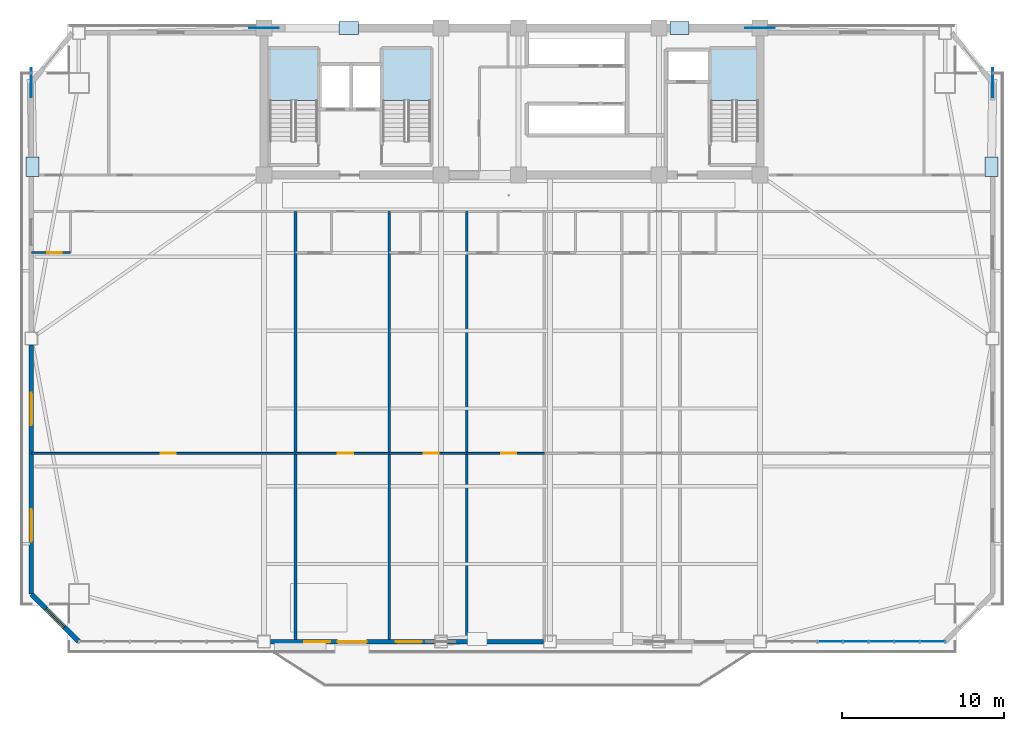
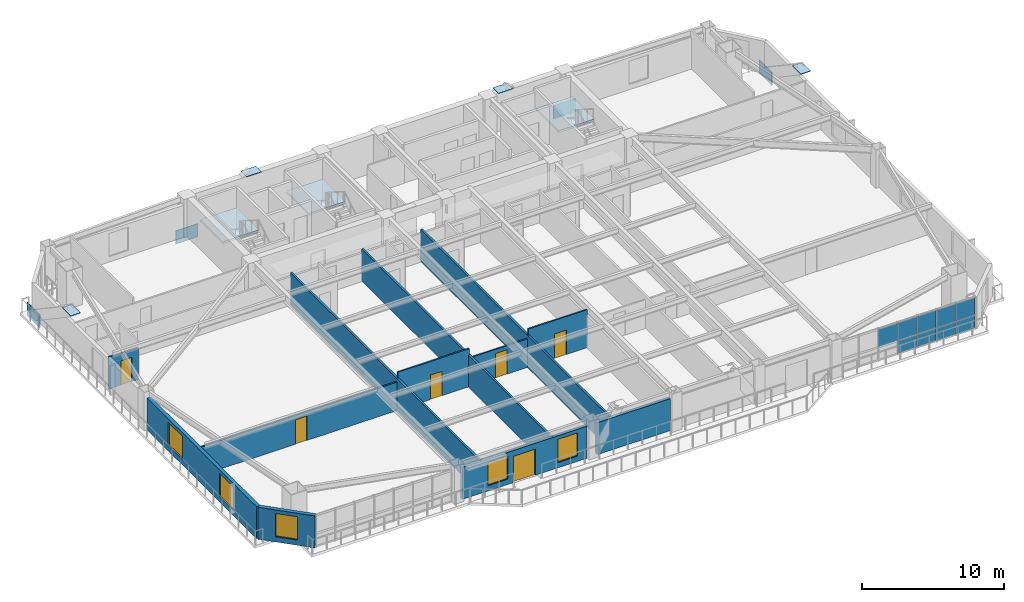
# One storey, part 7 of 15: 17 plates, 12 walls, 6 doors, 5 windows, 3 slabs, 11 openings, 4 elements without a shape of their own.
"""IFC4 building model written with IfcOpenShell, lengths in metres."""

from ifc_helpers import new_model, si_unit, direction, frame, frame_2d, origin, origin_2d, place, context, subcontext, project, spatial, polyline, rectangle, outline, extrude, source, transform, mapped, material, layer, layer_set, type_object, element, fill, aggregate, save


model = new_model("IFC4")

# Units and contexts
model_context = context("Model", 3, precision=1e-05, world=origin(), true_north=direction((0.0, 1.0)))
body_context = subcontext(model_context, "Body", "Model", "MODEL_VIEW")
ifc_project = project(units=[si_unit("LENGTHUNIT", "METRE"), si_unit("AREAUNIT", "SQUARE_METRE"), si_unit("VOLUMEUNIT", "CUBIC_METRE"), si_unit("PLANEANGLEUNIT", "RADIAN"), si_unit("MASSUNIT", "GRAM", prefix="KILO")], contexts=[model_context])

# Site, building, storey
site_placement = place(None, origin())
site = spatial("IfcSite", under=ifc_project, at=site_placement, CompositionType="ELEMENT")
building_placement = place(site_placement, origin())
building = spatial("IfcBuilding", under=site, at=building_placement, Name="Giltprow Tower", CompositionType="ELEMENT")
storey_placement = place(building_placement, frame((0.0, 0.0, 149.199951171875)))
storey = spatial("IfcBuildingStorey", under=building, at=storey_placement, Name="L36", CompositionType="ELEMENT", Elevation=149.199951171875)

# Stair, slab
ifc_material_1 = material(Name="Concrete C40", Category="concrete")
stair_type_1 = type_object("IfcStairType", Name="STR-ST-1", PredefinedType="HALF_TURN_STAIR", material=ifc_material_1)
stair_1_placement = place(storey_placement, origin())
stair_1 = element("IfcStair", 1, at=stair_1_placement, inside=storey, type_object=stair_type_1, Name="L36 Core Exit Stair ST-1", PredefinedType="HALF_TURN_STAIR")
ifc_layer_1 = layer(ifc_material_1, 0.179931640625, Name="Concrete C40")
ifc_layer_set_1 = layer_set([ifc_layer_1], Name="Concrete C40")
slab_type_1 = type_object("IfcSlabType", Name="SLD-ST-1", PredefinedType="LANDING", material=ifc_layer_set_1)
slab_1_placement = place(storey_placement, frame((0.0, 0.0, 1.570068359375)))
slab_1 = element("IfcSlab", 2, at=slab_1_placement, type_object=slab_type_1, Name="ST-1 landing 1", PredefinedType="LANDING", context=body_context, shape_type="SweptSolid", body=[
    extrude(outline(polyline([(23.159912109375, 42.070068359375), (23.159912109375, 45.25), (20.199951171875, 45.25), (20.199951171875, 42.070068359375), (23.159912109375, 42.070068359375)])), origin(), (0.0, 0.0, 1.0), 0.179931640625),
])
aggregate(stair_1, [slab_1])

stair_type_2 = type_object("IfcStairType", Name="STR-ST-2", PredefinedType="HALF_TURN_STAIR", material=ifc_material_1)
stair_2_placement = place(storey_placement, origin())
stair_2 = element("IfcStair", 3, at=stair_2_placement, inside=storey, type_object=stair_type_2, Name="L36 Core Exit Stair ST-2", PredefinedType="HALF_TURN_STAIR")
ifc_layer_2 = layer(ifc_material_1, 0.18798828125, Name="Concrete C40")
ifc_layer_set_2 = layer_set([ifc_layer_2], Name="Concrete C40")
slab_type_2 = type_object("IfcSlabType", Name="SLD-ST-2", PredefinedType="LANDING", material=ifc_layer_set_2)
slab_2_placement = place(storey_placement, frame((0.0, 0.0, 1.56201171875)))
slab_2 = element("IfcSlab", 4, at=slab_2_placement, type_object=slab_type_2, Name="ST-2 landing 1", PredefinedType="LANDING", context=body_context, shape_type="SweptSolid", body=[
    extrude(outline(polyline([(30.159912109375, 42.070068359375), (30.159912109375, 45.25), (27.199951171875, 45.25), (27.199951171875, 42.070068359375), (30.159912109375, 42.070068359375)])), origin(), (0.0, 0.0, 1.0), 0.18798828125),
])
aggregate(stair_2, [slab_2])

stair_type_3 = type_object("IfcStairType", Name="STR-ST-3", PredefinedType="HALF_TURN_STAIR", material=ifc_material_1)
stair_3_placement = place(storey_placement, origin())
stair_3 = element("IfcStair", 5, at=stair_3_placement, inside=storey, type_object=stair_type_3, Name="L36 Core Exit Stair ST-3", PredefinedType="HALF_TURN_STAIR")
ifc_layer_3 = layer(ifc_material_1, 0.196044921875, Name="Concrete C40")
ifc_layer_set_3 = layer_set([ifc_layer_3], Name="Concrete C40")
slab_type_3 = type_object("IfcSlabType", Name="SLD-ST-3", PredefinedType="LANDING", material=ifc_layer_set_3)
slab_3_placement = place(storey_placement, frame((0.0, 0.0, 1.553955078125)))
slab_3 = element("IfcSlab", 6, at=slab_3_placement, type_object=slab_type_3, Name="ST-3 landing 1", PredefinedType="LANDING", context=body_context, shape_type="SweptSolid", body=[
    extrude(outline(polyline([(50.4599609375, 42.070068359375), (50.4599609375, 45.25), (47.5, 45.25), (47.5, 42.070068359375), (50.4599609375, 42.070068359375)])), origin(), (0.0, 0.0, 1.0), 0.196044921875),
])
aggregate(stair_3, [slab_3])

# Plates
ifc_material_2 = material(Name="Structural steel Q420GJC", Category="steel")
plate_type_1 = type_object("IfcPlateType", Name="PLT-NODE-MBN1", PredefinedType="USERDEFINED", material=ifc_material_2)
shared_shape_1 = source(origin(), body_context, "Body", "SweptSolid", [
    extrude(rectangle(XDim=1.800048828125, YDim=0.050048828125, at=origin_2d()), origin(), (0.0, 0.0, 1.0), 1.14990234375),
])
for number, where, z_axis, x_axis, name in (
    (7, (19.85009765625, 46.550048828125, -0.71484375), (0.0, 0.0, 1.0), (1.0, 0.0, 0.0), "Mega-Brace Node L36-N-LA"),
    (8, (50.550048828125, 46.550048828125, -0.71484375), (0.0, 0.0, 1.0), (1.0, 0.0, 0.0), "Mega-Brace Node L36-N-RA"),
    (9, (5.448974609375, 43.160888671875, -0.574951171875), (0.0, 0.0, 1.0), (0.0, 1.0, 0.0), "Mega-Brace Node L36-W-RA"),
    (10, (64.950927734375, 43.160888671875, -0.574951171875), (0.0, 0.0, 1.0), (0.0, 1.0, 0.0), "Mega-Brace Node L36-E-RA"),
):
    element("IfcPlate", number, at=place(storey_placement, frame(where, z_axis=z_axis, x_axis=x_axis)), inside=storey, type_object=plate_type_1, Name=name, ObjectType="GUSSET", PredefinedType="USERDEFINED", context=body_context, shape_type="MappedRepresentation", body=[
        mapped(shared_shape_1, transform((0.0, 0.0, 0.0), x_axis=(1.0, 0.0, 0.0), y_axis=(0.0, 1.0, 0.0), z_axis=(0.0, 0.0, 1.0), scale=1.0)),
    ])
plate_type_2 = type_object("IfcPlateType", Name="PLT-CAP-SEAL", PredefinedType="USERDEFINED", material=ifc_material_2)
shared_shape_2 = source(origin(), body_context, "Body", "SweptSolid", [
    extrude(rectangle(XDim=1.199951171875, YDim=0.800048828125, at=origin_2d()), origin(), (0.0, 0.0, 1.0), 0.034912109375),
])
for number, where, z_axis, x_axis, name in (
    (11, (25.10009765625, 46.550048828125, 3.3427734375), (0.0, 0.0, 1.0), (1.0, 0.0, 0.0), "Mega-Brace Node L36-N-LB"),
    (12, (45.56689453125, 46.550048828125, 3.3427734375), (0.0, 0.0, 1.0), (1.0, 0.0, 0.0), "Mega-Brace Node L36-N-RB"),
    (13, (5.527099609375, 37.97412109375, 3.482421875), (0.0, 0.0, 1.0), (0.0, 1.0, 0.0), "Mega-Brace Node L36-W-RB"),
    (14, (64.873046875, 37.97412109375, 3.482421875), (0.0, 0.0, 1.0), (0.0, 1.0, 0.0), "Mega-Brace Node L36-E-RB"),
):
    element("IfcPlate", number, at=place(storey_placement, frame(where, z_axis=z_axis, x_axis=x_axis)), inside=storey, type_object=plate_type_2, Name=name, ObjectType="SPLICE", PredefinedType="USERDEFINED", context=body_context, shape_type="MappedRepresentation", body=[
        mapped(shared_shape_2, transform((0.0, 0.0, 0.0), x_axis=(1.0, 0.0, 0.0), y_axis=(0.0, 1.0, 0.0), z_axis=(0.0, 0.0, 1.0), scale=1.0)),
    ])

# Curtain wall, plates
ifc_material_3 = material(Name="Anodized bronze", Category="metal")
ifc_layer_4 = layer(ifc_material_3, 0.179931640625, Name="Anodized bronze")
ifc_layer_set_4 = layer_set([ifc_layer_4], Name="Anodized bronze")
curtain_wall_type = type_object("IfcCurtainWallType", Name="CW-HTL-BRONZE", PredefinedType="NOTDEFINED", material=ifc_layer_set_4)
curtain_wall_placement = place(storey_placement, origin())
curtain_wall = element("IfcCurtainWall", 15, at=curtain_wall_placement, inside=storey, type_object=curtain_wall_type, Name="L36 South Recessed Curtain Wall 6", PredefinedType="NOTDEFINED")
ifc_material_4 = material(Name="Insulated glass", Category="glass")
plate_type_3 = type_object("IfcPlateType", Name="CW-PANEL-IGU-28", PredefinedType="CURTAIN_PANEL", material=ifc_material_4)
shared_shape_3 = source(origin(), body_context, "Body", "SweptSolid", [
    extrude(rectangle(XDim=1.550048828125, YDim=0.028076171875, at=origin_2d()), origin(), (0.0, 0.0, 1.0), 1.0869140625),
])
plate_1_placement = place(storey_placement, frame((56.48095703125, 8.572021484375, 0.0546875), z_axis=(0.0, 0.0, 1.0), x_axis=(1.0, 0.0, 0.0)))
plate_1 = element("IfcPlate", 16, at=plate_1_placement, type_object=plate_type_3, Name="L36 South Recessed Curtain Wall 6 Glazing Panel 4-1", PredefinedType="CURTAIN_PANEL", context=body_context, shape_type="MappedRepresentation", body=[
    mapped(shared_shape_3, transform((0.0, 0.0, 0.0), x_axis=(1.0, 0.0, 0.0), y_axis=(0.0, 1.0, 0.0), z_axis=(0.0, 0.0, 1.0), scale=1.0)),
])
plate_2_placement = place(storey_placement, frame((58.06103515625, 8.572021484375, 0.0546875), z_axis=(0.0, 0.0, 1.0), x_axis=(1.0, 0.0, 0.0)))
plate_2 = element("IfcPlate", 17, at=plate_2_placement, type_object=plate_type_3, Name="L36 South Recessed Curtain Wall 6 Glazing Panel 5-1", PredefinedType="CURTAIN_PANEL", context=body_context, shape_type="MappedRepresentation", body=[
    mapped(shared_shape_3, transform((0.0, 0.0, 0.0), x_axis=(1.0, 0.0, 0.0), y_axis=(0.0, 1.0, 0.0), z_axis=(0.0, 0.0, 1.0), scale=1.0)),
])
plate_3_placement = place(storey_placement, frame((59.64208984375, 8.572021484375, 0.0546875), z_axis=(0.0, 0.0, 1.0), x_axis=(1.0, 0.0, 0.0)))
plate_3 = element("IfcPlate", 18, at=plate_3_placement, type_object=plate_type_3, Name="L36 South Recessed Curtain Wall 6 Glazing Panel 6-1", PredefinedType="CURTAIN_PANEL", context=body_context, shape_type="MappedRepresentation", body=[
    mapped(shared_shape_3, transform((0.0, 0.0, 0.0), x_axis=(1.0, 0.0, 0.0), y_axis=(0.0, 1.0, 0.0), z_axis=(0.0, 0.0, 1.0), scale=1.0)),
])
plate_4_placement = place(storey_placement, frame((61.221923828125, 8.572021484375, 0.0546875), z_axis=(0.0, 0.0, 1.0), x_axis=(1.0, 0.0, 0.0)))
plate_4 = element("IfcPlate", 19, at=plate_4_placement, type_object=plate_type_3, Name="L36 South Recessed Curtain Wall 6 Glazing Panel 7-1", PredefinedType="CURTAIN_PANEL", context=body_context, shape_type="MappedRepresentation", body=[
    mapped(shared_shape_3, transform((0.0, 0.0, 0.0), x_axis=(1.0, 0.0, 0.0), y_axis=(0.0, 1.0, 0.0), z_axis=(0.0, 0.0, 1.0), scale=1.0)),
])
shared_shape_4 = source(origin(), body_context, "Body", "SweptSolid", [
    extrude(rectangle(XDim=1.550048828125, YDim=0.028076171875, at=origin_2d()), origin(), (0.0, 0.0, 1.0), 1.527099609375),
])
plate_5_placement = place(storey_placement, frame((54.90087890625, 8.572021484375, 1.16845703125), z_axis=(0.0, 0.0, 1.0), x_axis=(1.0, 0.0, 0.0)))
plate_5 = element("IfcPlate", 20, at=plate_5_placement, type_object=plate_type_3, Name="L36 South Recessed Curtain Wall 6 Glazing Panel 3-2", PredefinedType="CURTAIN_PANEL", context=body_context, shape_type="MappedRepresentation", body=[
    mapped(shared_shape_4, transform((0.0, 0.0, 0.0), x_axis=(1.0, 0.0, 0.0), y_axis=(0.0, 1.0, 0.0), z_axis=(0.0, 0.0, 1.0), scale=1.0)),
])
plate_6_placement = place(storey_placement, frame((56.48095703125, 8.572021484375, 1.16845703125), z_axis=(0.0, 0.0, 1.0), x_axis=(1.0, 0.0, 0.0)))
plate_6 = element("IfcPlate", 21, at=plate_6_placement, type_object=plate_type_3, Name="L36 South Recessed Curtain Wall 6 Glazing Panel 4-2", PredefinedType="CURTAIN_PANEL", context=body_context, shape_type="MappedRepresentation", body=[
    mapped(shared_shape_4, transform((0.0, 0.0, 0.0), x_axis=(1.0, 0.0, 0.0), y_axis=(0.0, 1.0, 0.0), z_axis=(0.0, 0.0, 1.0), scale=1.0)),
])
plate_7_placement = place(storey_placement, frame((58.06103515625, 8.572021484375, 1.16845703125), z_axis=(0.0, 0.0, 1.0), x_axis=(1.0, 0.0, 0.0)))
plate_7 = element("IfcPlate", 22, at=plate_7_placement, type_object=plate_type_3, Name="L36 South Recessed Curtain Wall 6 Glazing Panel 5-2", PredefinedType="CURTAIN_PANEL", context=body_context, shape_type="MappedRepresentation", body=[
    mapped(shared_shape_4, transform((0.0, 0.0, 0.0), x_axis=(1.0, 0.0, 0.0), y_axis=(0.0, 1.0, 0.0), z_axis=(0.0, 0.0, 1.0), scale=1.0)),
])
plate_8_placement = place(storey_placement, frame((59.64208984375, 8.572021484375, 1.16845703125), z_axis=(0.0, 0.0, 1.0), x_axis=(1.0, 0.0, 0.0)))
plate_8 = element("IfcPlate", 23, at=plate_8_placement, type_object=plate_type_3, Name="L36 South Recessed Curtain Wall 6 Glazing Panel 6-2", PredefinedType="CURTAIN_PANEL", context=body_context, shape_type="MappedRepresentation", body=[
    mapped(shared_shape_4, transform((0.0, 0.0, 0.0), x_axis=(1.0, 0.0, 0.0), y_axis=(0.0, 1.0, 0.0), z_axis=(0.0, 0.0, 1.0), scale=1.0)),
])
plate_9_placement = place(storey_placement, frame((61.221923828125, 8.572021484375, 1.16845703125), z_axis=(0.0, 0.0, 1.0), x_axis=(1.0, 0.0, 0.0)))
plate_9 = element("IfcPlate", 24, at=plate_9_placement, type_object=plate_type_3, Name="L36 South Recessed Curtain Wall 6 Glazing Panel 7-2", PredefinedType="CURTAIN_PANEL", context=body_context, shape_type="MappedRepresentation", body=[
    mapped(shared_shape_4, transform((0.0, 0.0, 0.0), x_axis=(1.0, 0.0, 0.0), y_axis=(0.0, 1.0, 0.0), z_axis=(0.0, 0.0, 1.0), scale=1.0)),
])
aggregate(curtain_wall, [plate_5, plate_1, plate_6, plate_2, plate_7, plate_3, plate_8, plate_4, plate_9])

# Wall, opening, window
ifc_material_5 = material(Name="Precast concrete C40", Category="concrete")
ifc_layer_5 = layer(ifc_material_5, 0.300048828125, Name="Precast concrete C40")
ifc_layer_set_5 = layer_set([ifc_layer_5], Name="Precast concrete C40")
wall_type_1 = type_object("IfcWallType", Name="EW-NOTCH-CHAMFER-300", PredefinedType="SOLIDWALL", material=ifc_layer_set_5)
wall_1_placement = place(storey_placement, frame((5.448974609375, 11.510986328125, 0.0), z_axis=(0.0, 0.0, 1.0), x_axis=(0.707106781187, -0.707106781187, 0.0)))
wall_1 = element("IfcWall", 25, at=wall_1_placement, inside=storey, type_object=wall_type_1, Name="L36 Corner Notch Wall SW", PredefinedType="SOLIDWALL", context=body_context, shape_type="SweptSolid", body=[
    extrude(rectangle(XDim=4.15625, YDim=0.300048828125, at=frame_2d((2.078125, 0.0))), origin(), (0.0, 0.0, 1.0), 2.75),
])
opening_1_placement = place(wall_1_placement, frame((1.278076171875, 0.0, 0.449951171875)))
opening_1 = element("IfcOpeningElement", 26, at=opening_1_placement, cuts=wall_1, Name="Opening WN17", PredefinedType="OPENING", context=body_context, shape_type="SweptSolid", body=[
    extrude(rectangle(XDim=1.60009765625, YDim=2.0, at=frame_2d((0.800048828125, 1.0))), frame((0.0, 0.159912109375, 0.0), z_axis=(0.0, -1.0, 0.0), x_axis=(1.0, 0.0, 0.0)), (0.0, 0.0, 1.0), 0.320068359375),
])
window_type_1 = type_object("IfcWindowType", Name="WN-COR-1600x2000", PartitioningType="SINGLE_PANEL", PredefinedType="WINDOW", material=ifc_material_4)
shared_shape_5 = source(origin(), body_context, "Body", "SweptSolid", [
    extrude(rectangle(XDim=1.60009765625, YDim=2.0, at=frame_2d((0.800048828125, 1.0))), frame((0.0, 0.030029296875, 0.0), z_axis=(0.0, -1.0, 0.0), x_axis=(1.0, 0.0, 0.0)), (0.0, 0.0, 1.0), 0.06005859375),
])
window_1_placement = place(opening_1_placement, origin())
window_1 = element("IfcWindow", 27, at=window_1_placement, inside=storey, type_object=window_type_1, Name="L36 Corner Notch Window SW", OverallHeight=2.0, OverallWidth=1.60009765625, PartitioningType="SINGLE_PANEL", PredefinedType="WINDOW", context=body_context, shape_type="MappedRepresentation", body=[
    mapped(shared_shape_5, transform((0.0, 0.0, 0.0), x_axis=(1.0, 0.0, 0.0), y_axis=(0.0, 1.0, 0.0), z_axis=(0.0, 0.0, 1.0), scale=1.0)),
])
fill(opening_1, window_1)

# Wall, openings, windows, door
ifc_layer_6 = layer(ifc_material_5, 0.280029296875, Name="Precast concrete C40")
ifc_layer_set_6 = layer_set([ifc_layer_6], Name="Precast concrete C40")
wall_type_2 = type_object("IfcWallType", Name="EW-TOW-BRONZE-280", PredefinedType="SOLIDWALL", material=ifc_layer_set_6)
wall_2_placement = place(storey_placement, frame((20.25, 8.572021484375, 0.0), z_axis=(0.0, 0.0, 1.0), x_axis=(1.0, 0.0, 0.0)))
wall_2 = element("IfcWall", 28, at=wall_2_placement, inside=storey, type_object=wall_type_2, Name="L36 South Expressed Frame Wall 2", PredefinedType="SOLIDWALL", context=body_context, shape_type="SweptSolid", body=[
    extrude(rectangle(XDim=10.14990234375, YDim=0.280029296875, at=frame_2d((5.074951171875, 0.0))), origin(), (0.0, 0.0, 1.0), 2.75),
])
opening_2_placement = place(wall_2_placement, frame((4.14990234375, 0.0, 0.0)))
opening_2 = element("IfcOpeningElement", 29, at=opening_2_placement, cuts=wall_2, Name="Opening ED25", PredefinedType="OPENING", context=body_context, shape_type="SweptSolid", body=[
    extrude(rectangle(XDim=1.800048828125, YDim=2.25, at=frame_2d((0.89990234375, 1.125))), frame((0.0, 0.14990234375, 0.0), z_axis=(0.0, -1.0, 0.0), x_axis=(1.0, 0.0, 0.0)), (0.0, 0.0, 1.0), 0.300048828125),
])
opening_3_placement = place(wall_2_placement, frame((2.10498046875, 0.0, 0.449951171875)))
opening_3 = element("IfcOpeningElement", 30, at=opening_3_placement, cuts=wall_2, Name="Opening WN17", PredefinedType="OPENING", context=body_context, shape_type="SweptSolid", body=[
    extrude(rectangle(XDim=1.60009765625, YDim=2.0, at=frame_2d((0.800048828125, 1.0))), frame((0.0, 0.14990234375, 0.0), z_axis=(0.0, -1.0, 0.0), x_axis=(1.0, 0.0, 0.0)), (0.0, 0.0, 1.0), 0.300048828125),
])
opening_4_placement = place(wall_2_placement, frame((7.77001953125, 0.0, 0.449951171875)))
opening_4 = element("IfcOpeningElement", 31, at=opening_4_placement, cuts=wall_2, Name="Opening WN17", PredefinedType="OPENING", context=body_context, shape_type="SweptSolid", body=[
    extrude(rectangle(XDim=1.60009765625, YDim=2.0, at=frame_2d((0.800048828125, 1.0))), frame((0.0, 0.14990234375, 0.0), z_axis=(0.0, -1.0, 0.0), x_axis=(1.0, 0.0, 0.0)), (0.0, 0.0, 1.0), 0.300048828125),
])
window_2_placement = place(opening_3_placement, origin())
window_2 = element("IfcWindow", 32, at=window_2_placement, inside=storey, type_object=window_type_1, Name="L36 South Window 2A", OverallHeight=2.0, OverallWidth=1.60009765625, PartitioningType="SINGLE_PANEL", PredefinedType="WINDOW", context=body_context, shape_type="MappedRepresentation", body=[
    mapped(shared_shape_5, transform((0.0, 0.0, 0.0), x_axis=(1.0, 0.0, 0.0), y_axis=(0.0, 1.0, 0.0), z_axis=(0.0, 0.0, 1.0), scale=1.0)),
])
fill(opening_3, window_2)
window_3_placement = place(opening_4_placement, origin())
window_3 = element("IfcWindow", 33, at=window_3_placement, inside=storey, type_object=window_type_1, Name="L36 South Window 2B", OverallHeight=2.0, OverallWidth=1.60009765625, PartitioningType="SINGLE_PANEL", PredefinedType="WINDOW", context=body_context, shape_type="MappedRepresentation", body=[
    mapped(shared_shape_5, transform((0.0, 0.0, 0.0), x_axis=(1.0, 0.0, 0.0), y_axis=(0.0, 1.0, 0.0), z_axis=(0.0, 0.0, 1.0), scale=1.0)),
])
fill(opening_4, window_3)
ifc_material_6 = material(Name="Anodized bronze and glass", Category="glass")
door_type_1 = type_object("IfcDoorType", Name="DR-BALC-SLIDE-1800", OperationType="SLIDING_TO_LEFT", PredefinedType="DOOR", material=ifc_material_6)
shared_shape_6 = source(origin(), body_context, "Body", "SweptSolid", [
    extrude(rectangle(XDim=1.800048828125, YDim=2.25, at=frame_2d((0.89990234375, 1.125))), frame((0.0, 0.02490234375, 0.0), z_axis=(0.0, -1.0, 0.0), x_axis=(1.0, 0.0, 0.0)), (0.0, 0.0, 1.0), 0.050048828125),
])
door_1_placement = place(opening_2_placement, origin())
door_1 = element("IfcDoor", 34, at=door_1_placement, inside=storey, type_object=door_type_1, Name="L36 Waterfront Balcony Sliding Door 1", OperationType="SLIDING_TO_LEFT", OverallHeight=2.25, OverallWidth=1.800048828125, PredefinedType="DOOR", context=body_context, shape_type="MappedRepresentation", body=[
    mapped(shared_shape_6, transform((0.0, 0.0, 0.0), x_axis=(1.0, 0.0, 0.0), y_axis=(0.0, 1.0, 0.0), z_axis=(0.0, 0.0, 1.0), scale=1.0)),
])
fill(opening_2, door_1)

# Wall
wall_3_placement = place(storey_placement, frame((31.199951171875, 8.572021484375, 0.0), z_axis=(0.0, 0.0, 1.0), x_axis=(1.0, 0.0, 0.0)))
element("IfcWall", 35, at=wall_3_placement, inside=storey, type_object=wall_type_2, Name="L36 South Expressed Frame Wall 3", PredefinedType="SOLIDWALL", context=body_context, shape_type="SweptSolid", body=[
    extrude(rectangle(XDim=5.949951171875, YDim=0.280029296875, at=frame_2d((2.97509765625, 0.0))), origin(), (0.0, 0.0, 1.0), 2.75),
])

# Wall, openings, windows
wall_4_placement = place(storey_placement, frame((5.448974609375, 11.510986328125, 0.0), z_axis=(0.0, 0.0, 1.0), x_axis=(0.0, 1.0, 0.0)))
wall_4 = element("IfcWall", 36, at=wall_4_placement, inside=storey, type_object=wall_type_2, Name="L36 W Wing Masonry Wall 1", PredefinedType="SOLIDWALL", context=body_context, shape_type="SweptSolid", body=[
    extrude(rectangle(XDim=15.425048828125, YDim=0.280029296875, at=frame_2d((7.71240234375, 0.0))), origin(), (0.0, 0.0, 1.0), 2.75),
])
opening_5_placement = place(wall_4_placement, frame((3.2509765625, 0.0, 0.449951171875)))
opening_5 = element("IfcOpeningElement", 37, at=opening_5_placement, cuts=wall_4, Name="Opening WN21", PredefinedType="OPENING", context=body_context, shape_type="SweptSolid", body=[
    extrude(rectangle(XDim=2.0, YDim=2.0, at=frame_2d((1.0, 1.0))), frame((0.0, 0.14990234375, 0.0), z_axis=(0.0, -1.0, 0.0), x_axis=(1.0, 0.0, 0.0)), (0.0, 0.0, 1.0), 0.300048828125),
])
opening_6_placement = place(wall_4_placement, frame((10.462890625, 0.0, 0.449951171875)))
opening_6 = element("IfcOpeningElement", 38, at=opening_6_placement, cuts=wall_4, Name="Opening WN21", PredefinedType="OPENING", context=body_context, shape_type="SweptSolid", body=[
    extrude(rectangle(XDim=2.0, YDim=2.0, at=frame_2d((1.0, 1.0))), frame((0.0, 0.14990234375, 0.0), z_axis=(0.0, -1.0, 0.0), x_axis=(1.0, 0.0, 0.0)), (0.0, 0.0, 1.0), 0.300048828125),
])
window_type_2 = type_object("IfcWindowType", Name="WN-HTL-2000x2000", PartitioningType="DOUBLE_PANEL_VERTICAL", PredefinedType="WINDOW", material=ifc_material_4)
shared_shape_7 = source(origin(), body_context, "Body", "SweptSolid", [
    extrude(rectangle(XDim=2.0, YDim=2.0, at=frame_2d((1.0, 1.0))), frame((0.0, 0.030029296875, 0.0), z_axis=(0.0, -1.0, 0.0), x_axis=(1.0, 0.0, 0.0)), (0.0, 0.0, 1.0), 0.06005859375),
])
window_4_placement = place(opening_5_placement, origin())
window_4 = element("IfcWindow", 39, at=window_4_placement, inside=storey, type_object=window_type_2, Name="L36 W Wing Window 1-1A", OverallHeight=2.0, OverallWidth=2.0, PartitioningType="SINGLE_PANEL", PredefinedType="WINDOW", context=body_context, shape_type="MappedRepresentation", body=[
    mapped(shared_shape_7, transform((0.0, 0.0, 0.0), x_axis=(1.0, 0.0, 0.0), y_axis=(0.0, 1.0, 0.0), z_axis=(0.0, 0.0, 1.0), scale=1.0)),
])
fill(opening_5, window_4)
window_5_placement = place(opening_6_placement, origin())
window_5 = element("IfcWindow", 40, at=window_5_placement, inside=storey, type_object=window_type_2, Name="L36 W Wing Window 1-1B", OverallHeight=2.0, OverallWidth=2.0, PartitioningType="SINGLE_PANEL", PredefinedType="WINDOW", context=body_context, shape_type="MappedRepresentation", body=[
    mapped(shared_shape_7, transform((0.0, 0.0, 0.0), x_axis=(1.0, 0.0, 0.0), y_axis=(0.0, 1.0, 0.0), z_axis=(0.0, 0.0, 1.0), scale=1.0)),
])
fill(opening_6, window_5)

# Walls
ifc_material_7 = material(Name="Gypsum stud partition", Category="gypsum")
ifc_layer_7 = layer(ifc_material_7, 0.159912109375, Name="Gypsum stud partition")
ifc_layer_set_7 = layer_set([ifc_layer_7], Name="Gypsum stud partition")
wall_type_3 = type_object("IfcWallType", Name="IW-DEMISE-160", PredefinedType="PARTITIONING", material=ifc_layer_set_7)
for number, where, z_axis, x_axis, name in (
    (41, (21.800048828125, 8.572021484375, 0.0), (0.0, 0.0, 1.0), (0.0, 1.0, 0.0), "L36 Hotel Demising Wall 1"),
    (42, (27.60009765625, 8.572021484375, 0.0), (0.0, 0.0, 1.0), (0.0, 1.0, 0.0), "L36 Hotel Demising Wall 2"),
    (43, (32.39990234375, 8.572021484375, 0.0), (0.0, 0.0, 1.0), (0.0, 1.0, 0.0), "L36 Hotel Demising Wall 3"),
):
    element("IfcWall", number, at=place(storey_placement, frame(where, z_axis=z_axis, x_axis=x_axis)), inside=storey, type_object=wall_type_3, Name=name, PredefinedType="PARTITIONING", context=body_context, shape_type="SweptSolid", body=[
        extrude(rectangle(XDim=26.6279296875, YDim=0.159912109375, at=frame_2d((13.31396484375, 0.0))), origin(), (0.0, 0.0, 1.0), 2.755126953125),
    ])

# Wall, opening, door
ifc_layer_8 = layer(ifc_material_7, 0.1201171875, Name="Gypsum stud partition")
ifc_layer_set_8 = layer_set([ifc_layer_8], Name="Gypsum stud partition")
wall_type_4 = type_object("IfcWallType", Name="IW-ROOM-120", PredefinedType="PARTITIONING", material=ifc_layer_set_8)
wall_5_placement = place(storey_placement, frame((5.448974609375, 20.23291015625, 0.0), z_axis=(0.0, 0.0, 1.0), x_axis=(1.0, 0.0, 0.0)))
wall_5 = element("IfcWall", 44, at=wall_5_placement, inside=storey, type_object=wall_type_4, Name="L36 Suite Parlour Divider 1", PredefinedType="PARTITIONING", context=body_context, shape_type="SweptSolid", body=[
    extrude(rectangle(XDim=16.35107421875, YDim=0.1201171875, at=frame_2d((8.175537109375, 0.0))), origin(), (0.0, 0.0, 1.0), 2.455078125),
])
opening_7_placement = place(wall_5_placement, frame((8.0009765625, 0.0, 0.0)))
opening_7 = element("IfcOpeningElement", 45, at=opening_7_placement, cuts=wall_5, Name="Opening ID11", PredefinedType="OPENING", context=body_context, shape_type="SweptSolid", body=[
    extrude(rectangle(XDim=0.949951171875, YDim=2.10009765625, at=frame_2d((0.47509765625, 1.050048828125))), frame((0.0, 0.070068359375, 0.0), z_axis=(0.0, -1.0, 0.0), x_axis=(1.0, 0.0, 0.0)), (0.0, 0.0, 1.0), 0.14013671875),
])
ifc_material_8 = material(Name="Engineered timber", Category="wood")
door_type_2 = type_object("IfcDoorType", Name="DR-ROOM-950", OperationType="SINGLE_SWING_RIGHT", PredefinedType="DOOR", material=ifc_material_8)
shared_shape_8 = source(origin(), body_context, "Body", "SweptSolid", [
    extrude(rectangle(XDim=0.949951171875, YDim=2.10009765625, at=frame_2d((0.47509765625, 1.050048828125))), frame((0.0, 0.02490234375, 0.0), z_axis=(0.0, -1.0, 0.0), x_axis=(1.0, 0.0, 0.0)), (0.0, 0.0, 1.0), 0.050048828125),
])
door_2_placement = place(opening_7_placement, origin())
door_2 = element("IfcDoor", 46, at=door_2_placement, inside=storey, type_object=door_type_2, Name="L36 Harbour Parlour 1 Door", OperationType="SINGLE_SWING_RIGHT", OverallHeight=2.10009765625, OverallWidth=0.949951171875, PredefinedType="DOOR", context=body_context, shape_type="MappedRepresentation", body=[
    mapped(shared_shape_8, transform((0.0, 0.0, 0.0), x_axis=(1.0, 0.0, 0.0), y_axis=(0.0, 1.0, 0.0), z_axis=(0.0, 0.0, 1.0), scale=1.0)),
])
fill(opening_7, door_2)

wall_6_placement = place(storey_placement, frame((21.800048828125, 20.23291015625, 0.0), z_axis=(0.0, 0.0, 1.0), x_axis=(1.0, 0.0, 0.0)))
wall_6 = element("IfcWall", 47, at=wall_6_placement, inside=storey, type_object=wall_type_4, Name="L36 Suite Parlour Divider 2", PredefinedType="PARTITIONING", context=body_context, shape_type="SweptSolid", body=[
    extrude(rectangle(XDim=5.800048828125, YDim=0.1201171875, at=frame_2d((2.89990234375, 0.0))), origin(), (0.0, 0.0, 1.0), 3.27001953125),
])
opening_8_placement = place(wall_6_placement, frame((2.625, 0.0, 0.0)))
opening_8 = element("IfcOpeningElement", 48, at=opening_8_placement, cuts=wall_6, Name="Opening ID11", PredefinedType="OPENING", context=body_context, shape_type="SweptSolid", body=[
    extrude(rectangle(XDim=0.949951171875, YDim=2.10009765625, at=frame_2d((0.47509765625, 1.050048828125))), frame((0.0, 0.070068359375, 0.0), z_axis=(0.0, -1.0, 0.0), x_axis=(1.0, 0.0, 0.0)), (0.0, 0.0, 1.0), 0.14013671875),
])
door_3_placement = place(opening_8_placement, origin())
door_3 = element("IfcDoor", 49, at=door_3_placement, inside=storey, type_object=door_type_2, Name="L36 Harbour Parlour 2 Door", OperationType="SINGLE_SWING_LEFT", OverallHeight=2.10009765625, OverallWidth=0.949951171875, PredefinedType="DOOR", context=body_context, shape_type="MappedRepresentation", body=[
    mapped(shared_shape_8, transform((0.0, 0.0, 0.0), x_axis=(1.0, 0.0, 0.0), y_axis=(0.0, 1.0, 0.0), z_axis=(0.0, 0.0, 1.0), scale=1.0)),
])
fill(opening_8, door_3)

wall_7_placement = place(storey_placement, frame((27.60009765625, 20.23291015625, 0.0), z_axis=(0.0, 0.0, 1.0), x_axis=(1.0, 0.0, 0.0)))
wall_7 = element("IfcWall", 50, at=wall_7_placement, inside=storey, type_object=wall_type_4, Name="L36 Suite Parlour Divider 3", PredefinedType="PARTITIONING", context=body_context, shape_type="SweptSolid", body=[
    extrude(rectangle(XDim=4.7998046875, YDim=0.1201171875, at=frame_2d((2.39990234375, 0.0))), origin(), (0.0, 0.0, 1.0), 2.455078125),
])
opening_9_placement = place(wall_7_placement, frame((2.125, 0.0, 0.0)))
opening_9 = element("IfcOpeningElement", 51, at=opening_9_placement, cuts=wall_7, Name="Opening ID11", PredefinedType="OPENING", context=body_context, shape_type="SweptSolid", body=[
    extrude(rectangle(XDim=0.949951171875, YDim=2.10009765625, at=frame_2d((0.47509765625, 1.050048828125))), frame((0.0, 0.070068359375, 0.0), z_axis=(0.0, -1.0, 0.0), x_axis=(1.0, 0.0, 0.0)), (0.0, 0.0, 1.0), 0.14013671875),
])
door_4_placement = place(opening_9_placement, origin())
door_4 = element("IfcDoor", 52, at=door_4_placement, inside=storey, type_object=door_type_2, Name="L36 Harbour Parlour 3 Door", OperationType="SINGLE_SWING_RIGHT", OverallHeight=2.10009765625, OverallWidth=0.949951171875, PredefinedType="DOOR", context=body_context, shape_type="MappedRepresentation", body=[
    mapped(shared_shape_8, transform((0.0, 0.0, 0.0), x_axis=(1.0, 0.0, 0.0), y_axis=(0.0, 1.0, 0.0), z_axis=(0.0, 0.0, 1.0), scale=1.0)),
])
fill(opening_9, door_4)

wall_8_placement = place(storey_placement, frame((32.39990234375, 20.23291015625, 0.0), z_axis=(0.0, 0.0, 1.0), x_axis=(1.0, 0.0, 0.0)))
wall_8 = element("IfcWall", 53, at=wall_8_placement, inside=storey, type_object=wall_type_4, Name="L36 Suite Parlour Divider 4", PredefinedType="PARTITIONING", context=body_context, shape_type="SweptSolid", body=[
    extrude(rectangle(XDim=4.800048828125, YDim=0.1201171875, at=frame_2d((2.39990234375, 0.0))), origin(), (0.0, 0.0, 1.0), 3.27001953125),
])
opening_10_placement = place(wall_8_placement, frame((2.125, 0.0, 0.0)))
opening_10 = element("IfcOpeningElement", 54, at=opening_10_placement, cuts=wall_8, Name="Opening ID11", PredefinedType="OPENING", context=body_context, shape_type="SweptSolid", body=[
    extrude(rectangle(XDim=0.949951171875, YDim=2.10009765625, at=frame_2d((0.47509765625, 1.050048828125))), frame((0.0, 0.070068359375, 0.0), z_axis=(0.0, -1.0, 0.0), x_axis=(1.0, 0.0, 0.0)), (0.0, 0.0, 1.0), 0.14013671875),
])
door_5_placement = place(opening_10_placement, origin())
door_5 = element("IfcDoor", 55, at=door_5_placement, inside=storey, type_object=door_type_2, Name="L36 Harbour Parlour 4 Door", OperationType="SINGLE_SWING_LEFT", OverallHeight=2.10009765625, OverallWidth=0.949951171875, PredefinedType="DOOR", context=body_context, shape_type="MappedRepresentation", body=[
    mapped(shared_shape_8, transform((0.0, 0.0, 0.0), x_axis=(1.0, 0.0, 0.0), y_axis=(0.0, 1.0, 0.0), z_axis=(0.0, 0.0, 1.0), scale=1.0)),
])
fill(opening_10, door_5)

ifc_material_9 = material(Name="Concrete C30", Category="concrete")
ifc_layer_9 = layer(ifc_material_9, 0.1298828125, Name="Concrete C30")
ifc_layer_set_9 = layer_set([ifc_layer_9], Name="Concrete C30")
wall_type_5 = type_object("IfcWallType", Name="IW-WET-130", PredefinedType="PARTITIONING", material=ifc_layer_set_9)
wall_9_placement = place(storey_placement, frame((5.448974609375, 32.64990234375, 0.0), z_axis=(0.0, 0.0, 1.0), x_axis=(1.0, 0.0, 0.0)))
wall_9 = element("IfcWall", 56, at=wall_9_placement, inside=storey, type_object=wall_type_5, Name="L36 En-Suite South Wall 1", PredefinedType="PARTITIONING", context=body_context, shape_type="SweptSolid", body=[
    extrude(rectangle(XDim=2.429931640625, YDim=0.1298828125, at=frame_2d((1.21484375, 0.0))), origin(), (0.0, 0.0, 1.0), 2.755126953125),
])
opening_11_placement = place(wall_9_placement, frame((0.985107421875, 0.0, 0.0)))
opening_11 = element("IfcOpeningElement", 57, at=opening_11_placement, cuts=wall_9, Name="Opening ID15", PredefinedType="OPENING", context=body_context, shape_type="SweptSolid", body=[
    extrude(rectangle(XDim=0.89990234375, YDim=2.10009765625, at=frame_2d((0.449951171875, 1.050048828125))), frame((0.0, 0.074951171875, 0.0), z_axis=(0.0, -1.0, 0.0), x_axis=(1.0, 0.0, 0.0)), (0.0, 0.0, 1.0), 0.14990234375),
])
door_type_3 = type_object("IfcDoorType", Name="DR-WC-900", OperationType="SINGLE_SWING_LEFT", PredefinedType="DOOR", material=ifc_material_8)
shared_shape_9 = source(origin(), body_context, "Body", "SweptSolid", [
    extrude(rectangle(XDim=0.89990234375, YDim=2.10009765625, at=frame_2d((0.449951171875, 1.050048828125))), frame((0.0, 0.02490234375, 0.0), z_axis=(0.0, -1.0, 0.0), x_axis=(1.0, 0.0, 0.0)), (0.0, 0.0, 1.0), 0.050048828125),
])
door_6_placement = place(opening_11_placement, origin())
door_6 = element("IfcDoor", 58, at=door_6_placement, inside=storey, type_object=door_type_3, Name="L36 En-Suite 1 Door", OperationType="SINGLE_SWING_LEFT", OverallHeight=2.10009765625, OverallWidth=0.89990234375, PredefinedType="DOOR", context=body_context, shape_type="MappedRepresentation", body=[
    mapped(shared_shape_9, transform((0.0, 0.0, 0.0), x_axis=(1.0, 0.0, 0.0), y_axis=(0.0, 1.0, 0.0), z_axis=(0.0, 0.0, 1.0), scale=1.0)),
])
fill(opening_11, door_6)

save(model, "model.ifc")
